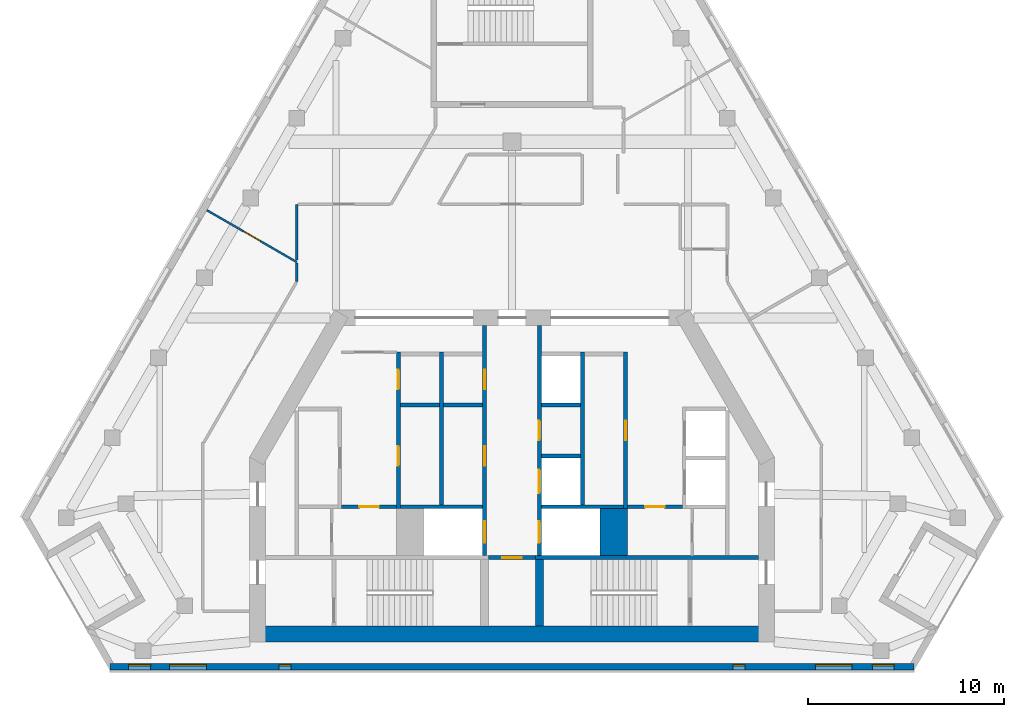
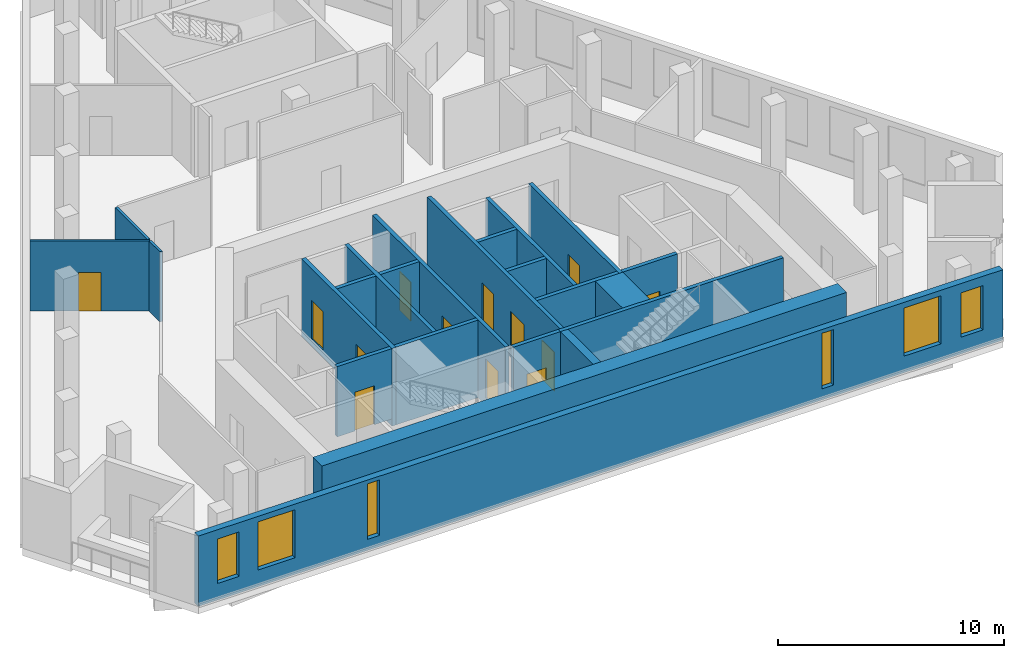
# One storey, part 3 of 8: 23 walls, 13 doors, 6 windows, 19 openings.
"""IFC4 building model written with IfcOpenShell, lengths in metres."""

from ifc_helpers import new_model, si_unit, direction, frame, frame_2d, origin, place, context, subcontext, project, spatial, rectangle, extrude, material, layer, layer_set, type_object, element, fill, save


model = new_model("IFC4")

# Units and contexts
model_context = context("Model", 3, precision=1e-05, world=origin(), true_north=direction((0.0, 1.0)))
body_context = subcontext(model_context, "Body", "Model", "MODEL_VIEW")
ifc_project = project(units=[si_unit("LENGTHUNIT", "METRE"), si_unit("AREAUNIT", "SQUARE_METRE"), si_unit("VOLUMEUNIT", "CUBIC_METRE"), si_unit("PLANEANGLEUNIT", "RADIAN"), si_unit("MASSUNIT", "GRAM", prefix="KILO")], contexts=[model_context])

# Site, building, storey
site_placement = place(None, origin())
site = spatial("IfcSite", under=ifc_project, at=site_placement, CompositionType="ELEMENT")
building_placement = place(site_placement, origin())
building = spatial("IfcBuilding", under=site, at=building_placement, Name="Fogline Exchange Tower", CompositionType="ELEMENT")
storey_placement = place(building_placement, frame((0.0, 0.0, 300.300048828125)))
storey = spatial("IfcBuildingStorey", under=building, at=storey_placement, Name="L68", CompositionType="ELEMENT", Elevation=300.300048828125)

# Walls
ifc_material_1 = material(Name="Concrete C60", Category="concrete")
ifc_layer_1 = layer(ifc_material_1, 1.39990234375)
ifc_layer_set_1 = layer_set([ifc_layer_1], Name="CW140")
wall_type_1 = type_object("IfcWallType", Name="CW140", PredefinedType="SOLIDWALL", material=ifc_layer_set_1)
wall_1_placement = place(storey_placement, frame((5.199951171875, 5.85009765625, -0.400146484375), z_axis=(0.0, 0.0, 1.0), x_axis=(0.0, 1.0, 0.0)))
element("IfcWall", 1, at=wall_1_placement, inside=storey, type_object=wall_type_1, Name="Lift shaft block wall", PredefinedType="SOLIDWALL", context=body_context, shape_type="SweptSolid", body=[
    extrude(rectangle(XDim=2.39990234375, YDim=1.39990234375, at=frame_2d((1.199951171875, 0.0))), origin(), (0.0, 0.0, 1.0), 4.2001953125),
])
ifc_material_2 = material(Name="Concrete C40", Category="concrete")
ifc_layer_2 = layer(ifc_material_2, 0.199951171875)
ifc_layer_set_2 = layer_set([ifc_layer_2], Name="CW20")
wall_type_2 = type_object("IfcWallType", Name="CW20", PredefinedType="SOLIDWALL", material=ifc_layer_set_2)
for number, where, z_axis, x_axis, name in (
    (2, (-5.699951171875, 13.550048828125, 0.0), (0.0, 0.0, 1.0), (1.0, 0.0, 0.0), "Service room wall"),
    (3, (-3.5, 13.550048828125, 0.0), (0.0, 0.0, 1.0), (1.0, 0.0, 0.0), "Service room wall"),
):
    element("IfcWall", number, at=place(storey_placement, frame(where, z_axis=z_axis, x_axis=x_axis)), inside=storey, type_object=wall_type_2, Name=name, PredefinedType="SOLIDWALL", context=body_context, shape_type="SweptSolid", body=[
        extrude(rectangle(XDim=2.0, YDim=0.199951171875, at=frame_2d((1.0, 0.0))), origin(), (0.0, 0.0, 1.0), 3.800048828125),
    ])

# Wall, opening, door
wall_2_placement = place(storey_placement, frame((-8.699951171875, 8.35009765625, 0.0), z_axis=(0.0, 0.0, 1.0), x_axis=(1.0, 0.0, 0.0)))
wall_2 = element("IfcWall", 4, at=wall_2_placement, inside=storey, type_object=wall_type_2, Name="WC wall", PredefinedType="SOLIDWALL", context=body_context, shape_type="SweptSolid", body=[
    extrude(rectangle(XDim=2.800048828125, YDim=0.199951171875, at=frame_2d((1.39990234375, 0.0))), origin(), (0.0, 0.0, 1.0), 3.800048828125),
])
opening_1_placement = place(wall_2_placement, frame((0.89990234375, 0.0, 0.0)))
opening_1 = element("IfcOpeningElement", 5, at=opening_1_placement, cuts=wall_2, Name="Opening T21-C010", PredefinedType="OPENING", context=body_context, shape_type="SweptSolid", body=[
    extrude(rectangle(XDim=1.0, YDim=2.10009765625, at=frame_2d((0.5, 1.050048828125))), frame((0.0, 0.10986328125, 0.0), z_axis=(0.0, -1.0, 0.0), x_axis=(1.0, 0.0, 0.0)), (0.0, 0.0, 1.0), 0.219970703125),
])
ifc_material_3 = material(Name="Steel and timber fire door", Category="steel")
door_type_1 = type_object("IfcDoorType", Name="D-WC1", OperationType="SINGLE_SWING_LEFT", PredefinedType="DOOR", material=ifc_material_3)
door_1_placement = place(opening_1_placement, frame((1.0, 0.0, 0.0), z_axis=(0.0, 0.0, 1.0), x_axis=(-1.0, 0.0, 0.0)))
door_1 = element("IfcDoor", 6, at=door_1_placement, inside=storey, type_object=door_type_1, Name="Door to Men's WC", OperationType="SINGLE_SWING_LEFT", OverallHeight=2.10009765625, OverallWidth=1.0, PredefinedType="DOOR", context=body_context, shape_type="SweptSolid", body=[
    extrude(rectangle(XDim=1.0, YDim=2.10009765625, at=frame_2d((0.5, 1.050048828125))), frame((0.0, 0.02490234375, 0.0), z_axis=(0.0, -1.0, 0.0), x_axis=(1.0, 0.0, 0.0)), (0.0, 0.0, 1.0), 0.050048828125),
])
fill(opening_1, door_1)

wall_3_placement = place(storey_placement, frame((5.89990234375, 8.35009765625, 0.0), z_axis=(0.0, 0.0, 1.0), x_axis=(1.0, 0.0, 0.0)))
wall_3 = element("IfcWall", 7, at=wall_3_placement, inside=storey, type_object=wall_type_2, Name="WC wall", PredefinedType="SOLIDWALL", context=body_context, shape_type="SweptSolid", body=[
    extrude(rectangle(XDim=2.800048828125, YDim=0.199951171875, at=frame_2d((1.39990234375, 0.0))), origin(), (0.0, 0.0, 1.0), 3.800048828125),
])
opening_2_placement = place(wall_3_placement, frame((0.89990234375, 0.0, 0.0)))
opening_2 = element("IfcOpeningElement", 8, at=opening_2_placement, cuts=wall_3, Name="Opening T21-C015", PredefinedType="OPENING", context=body_context, shape_type="SweptSolid", body=[
    extrude(rectangle(XDim=1.0, YDim=2.10009765625, at=frame_2d((0.5, 1.050048828125))), frame((0.0, 0.10986328125, 0.0), z_axis=(0.0, -1.0, 0.0), x_axis=(1.0, 0.0, 0.0)), (0.0, 0.0, 1.0), 0.219970703125),
])
door_2_placement = place(opening_2_placement, frame((1.0, 0.0, 0.0), z_axis=(0.0, 0.0, 1.0), x_axis=(-1.0, 0.0, 0.0)))
door_2 = element("IfcDoor", 9, at=door_2_placement, inside=storey, type_object=door_type_1, Name="Door to Women's WC", OperationType="SINGLE_SWING_LEFT", OverallHeight=2.10009765625, OverallWidth=1.0, PredefinedType="DOOR", context=body_context, shape_type="SweptSolid", body=[
    extrude(rectangle(XDim=1.0, YDim=2.10009765625, at=frame_2d((0.5, 1.050048828125))), frame((0.0, 0.02490234375, 0.0), z_axis=(0.0, -1.0, 0.0), x_axis=(1.0, 0.0, 0.0)), (0.0, 0.0, 1.0), 0.050048828125),
])
fill(opening_2, door_2)

ifc_layer_3 = layer(ifc_material_2, 0.199951171875)
ifc_layer_set_3 = layer_set([ifc_layer_3], Name="CW20R")
wall_type_3 = type_object("IfcWallType", Name="CW20R", PredefinedType="SOLIDWALL", material=ifc_layer_set_3)
wall_4_placement = place(storey_placement, frame((-1.199951171875, 5.75, -0.400146484375), z_axis=(0.0, 0.0, 1.0), x_axis=(1.0, 0.0, 0.0)))
wall_4 = element("IfcWall", 10, at=wall_4_placement, inside=storey, type_object=wall_type_3, Name="Stair enclosure wall", PredefinedType="SOLIDWALL", context=body_context, shape_type="SweptSolid", body=[
    extrude(rectangle(XDim=2.39990234375, YDim=0.199951171875, at=frame_2d((1.199951171875, 0.0))), origin(), (0.0, 0.0, 1.0), 4.2001953125),
])
opening_3_placement = place(wall_4_placement, frame((0.699951171875, 0.0, 0.39990234375)))
opening_3 = element("IfcOpeningElement", 11, at=opening_3_placement, cuts=wall_4, Name="Opening T21-C008", PredefinedType="OPENING", context=body_context, shape_type="SweptSolid", body=[
    extrude(rectangle(XDim=1.0, YDim=2.10009765625, at=frame_2d((0.5, 1.050048828125))), frame((0.0, 0.10986328125, 0.0), z_axis=(0.0, -1.0, 0.0), x_axis=(1.0, 0.0, 0.0)), (0.0, 0.0, 1.0), 0.219970703125),
])
door_type_2 = type_object("IfcDoorType", Name="D-RM1", OperationType="SINGLE_SWING_LEFT", PredefinedType="DOOR", material=ifc_material_3)
door_3_placement = place(opening_3_placement, frame((1.0, 0.0, 0.0), z_axis=(0.0, 0.0, 1.0), x_axis=(-1.0, 0.0, 0.0)))
door_3 = element("IfcDoor", 12, at=door_3_placement, inside=storey, type_object=door_type_2, Name="Door to Stationery Store", OperationType="SINGLE_SWING_RIGHT", OverallHeight=2.10009765625, OverallWidth=1.0, PredefinedType="DOOR", context=body_context, shape_type="SweptSolid", body=[
    extrude(rectangle(XDim=1.0, YDim=2.10009765625, at=frame_2d((0.5, 1.050048828125))), frame((0.0, 0.02490234375, 0.0), z_axis=(0.0, -1.0, 0.0), x_axis=(1.0, 0.0, 0.0)), (0.0, 0.0, 1.0), 0.050048828125),
])
fill(opening_3, door_3)

# Wall
wall_5_placement = place(storey_placement, frame((1.199951171875, 5.75, -0.400146484375), z_axis=(0.0, 0.0, 1.0), x_axis=(1.0, 0.0, 0.0)))
element("IfcWall", 13, at=wall_5_placement, inside=storey, type_object=wall_type_3, Name="Stair enclosure wall", PredefinedType="SOLIDWALL", context=body_context, shape_type="SweptSolid", body=[
    extrude(rectangle(XDim=11.400146484375, YDim=0.199951171875, at=frame_2d((5.7001953125, 0.0))), origin(), (0.0, 0.0, 1.0), 4.2001953125),
])

# Wall, openings, doors
ifc_layer_4 = layer(ifc_material_2, 0.199951171875)
ifc_layer_set_4 = layer_set([ifc_layer_4], Name="CW20S")
wall_type_4 = type_object("IfcWallType", Name="CW20S", PredefinedType="SOLIDWALL", material=ifc_layer_set_4)
wall_6_placement = place(storey_placement, frame((-5.800048828125, 8.25, -0.400146484375), z_axis=(0.0, 0.0, 1.0), x_axis=(0.0, 1.0, 0.0)))
wall_6 = element("IfcWall", 14, at=wall_6_placement, inside=storey, type_object=wall_type_4, Name="Lift shaft wall", PredefinedType="SOLIDWALL", context=body_context, shape_type="SweptSolid", body=[
    extrude(rectangle(XDim=8.0, YDim=0.199951171875, at=frame_2d((4.0, 0.0))), origin(), (0.0, 0.0, 1.0), 4.2001953125),
])
opening_4_placement = place(wall_6_placement, frame((2.199951171875, 0.0, 0.39990234375)))
opening_4 = element("IfcOpeningElement", 15, at=opening_4_placement, cuts=wall_6, Name="Opening T21-C002", PredefinedType="OPENING", context=body_context, shape_type="SweptSolid", body=[
    extrude(rectangle(XDim=1.0, YDim=2.10009765625, at=frame_2d((0.5, 1.050048828125))), frame((0.0, 0.10986328125, 0.0), z_axis=(0.0, -1.0, 0.0), x_axis=(1.0, 0.0, 0.0)), (0.0, 0.0, 1.0), 0.219970703125),
])
opening_5_placement = place(wall_6_placement, frame((6.10009765625, 0.0, 0.39990234375)))
opening_5 = element("IfcOpeningElement", 16, at=opening_5_placement, cuts=wall_6, Name="Opening T21-C003", PredefinedType="OPENING", context=body_context, shape_type="SweptSolid", body=[
    extrude(rectangle(XDim=1.0, YDim=2.10009765625, at=frame_2d((0.5, 1.050048828125))), frame((0.0, 0.10986328125, 0.0), z_axis=(0.0, -1.0, 0.0), x_axis=(1.0, 0.0, 0.0)), (0.0, 0.0, 1.0), 0.219970703125),
])
door_4_placement = place(opening_4_placement, frame((1.0, 0.0, 0.0), z_axis=(0.0, 0.0, 1.0), x_axis=(-1.0, 0.0, 0.0)))
door_4 = element("IfcDoor", 17, at=door_4_placement, inside=storey, type_object=door_type_2, Name="Door to Equipment Room", OperationType="SINGLE_SWING_LEFT", OverallHeight=2.10009765625, OverallWidth=1.0, PredefinedType="DOOR", context=body_context, shape_type="SweptSolid", body=[
    extrude(rectangle(XDim=1.0, YDim=2.10009765625, at=frame_2d((0.5, 1.050048828125))), frame((0.0, 0.02490234375, 0.0), z_axis=(0.0, -1.0, 0.0), x_axis=(1.0, 0.0, 0.0)), (0.0, 0.0, 1.0), 0.050048828125),
])
fill(opening_4, door_4)
door_5_placement = place(opening_5_placement, frame((1.0, 0.0, 0.0), z_axis=(0.0, 0.0, 1.0), x_axis=(-1.0, 0.0, 0.0)))
door_5 = element("IfcDoor", 18, at=door_5_placement, inside=storey, type_object=door_type_2, Name="Door to Server Room", OperationType="SINGLE_SWING_RIGHT", OverallHeight=2.10009765625, OverallWidth=1.0, PredefinedType="DOOR", context=body_context, shape_type="SweptSolid", body=[
    extrude(rectangle(XDim=1.0, YDim=2.10009765625, at=frame_2d((0.5, 1.050048828125))), frame((0.0, 0.02490234375, 0.0), z_axis=(0.0, -1.0, 0.0), x_axis=(1.0, 0.0, 0.0)), (0.0, 0.0, 1.0), 0.050048828125),
])
fill(opening_5, door_5)

# Wall, opening, door
wall_7_placement = place(storey_placement, frame((5.800048828125, 8.25, -0.400146484375), z_axis=(0.0, 0.0, 1.0), x_axis=(0.0, 1.0, 0.0)))
wall_7 = element("IfcWall", 19, at=wall_7_placement, inside=storey, type_object=wall_type_4, Name="Lift shaft wall", PredefinedType="SOLIDWALL", context=body_context, shape_type="SweptSolid", body=[
    extrude(rectangle(XDim=8.0, YDim=0.199951171875, at=frame_2d((4.0, 0.0))), origin(), (0.0, 0.0, 1.0), 4.2001953125),
])
opening_6_placement = place(wall_7_placement, frame((3.5, 0.0, 0.39990234375)))
opening_6 = element("IfcOpeningElement", 20, at=opening_6_placement, cuts=wall_7, Name="Opening T21-C006", PredefinedType="OPENING", context=body_context, shape_type="SweptSolid", body=[
    extrude(rectangle(XDim=1.0, YDim=2.10009765625, at=frame_2d((0.5, 1.050048828125))), frame((0.0, 0.10986328125, 0.0), z_axis=(0.0, -1.0, 0.0), x_axis=(1.0, 0.0, 0.0)), (0.0, 0.0, 1.0), 0.219970703125),
])
door_6_placement = place(opening_6_placement, origin())
door_6 = element("IfcDoor", 21, at=door_6_placement, inside=storey, type_object=door_type_2, Name="Door to Trading Desk Annexe", OperationType="SINGLE_SWING_LEFT", OverallHeight=2.10009765625, OverallWidth=1.0, PredefinedType="DOOR", context=body_context, shape_type="SweptSolid", body=[
    extrude(rectangle(XDim=1.0, YDim=2.10009765625, at=frame_2d((0.5, 1.050048828125))), frame((0.0, 0.02490234375, 0.0), z_axis=(0.0, -1.0, 0.0), x_axis=(1.0, 0.0, 0.0)), (0.0, 0.0, 1.0), 0.050048828125),
])
fill(opening_6, door_6)

# Walls
for number, where, z_axis, x_axis, name in (
    (22, (-3.60009765625, 8.449951171875, -0.400146484375), (0.0, 0.0, 1.0), (0.0, 1.0, 0.0), "Lift shaft wall"),
    (23, (3.60009765625, 8.449951171875, -0.400146484375), (0.0, 0.0, 1.0), (0.0, 1.0, 0.0), "Lift shaft wall"),
):
    element("IfcWall", number, at=place(storey_placement, frame(where, z_axis=z_axis, x_axis=x_axis)), inside=storey, type_object=wall_type_4, Name=name, PredefinedType="SOLIDWALL", context=body_context, shape_type="SweptSolid", body=[
        extrude(rectangle(XDim=7.800048828125, YDim=0.199951171875, at=frame_2d((3.89990234375, 0.0))), origin(), (0.0, 0.0, 1.0), 4.2001953125),
    ])

# Wall, openings, doors
wall_8_placement = place(storey_placement, frame((-1.39990234375, 5.85009765625, -0.400146484375), z_axis=(0.0, 0.0, 1.0), x_axis=(0.0, 1.0, 0.0)))
wall_8 = element("IfcWall", 24, at=wall_8_placement, inside=storey, type_object=wall_type_4, Name="Lift lobby wall", PredefinedType="SOLIDWALL", context=body_context, shape_type="SweptSolid", body=[
    extrude(rectangle(XDim=11.75, YDim=0.199951171875, at=frame_2d((5.875, 0.0))), origin(), (0.0, 0.0, 1.0), 4.2001953125),
])
opening_7_placement = place(wall_8_placement, frame((0.64990234375, 0.0, 0.39990234375)))
opening_7 = element("IfcOpeningElement", 25, at=opening_7_placement, cuts=wall_8, Name="Opening T21-LD01", PredefinedType="OPENING", context=body_context, shape_type="SweptSolid", body=[
    extrude(rectangle(XDim=1.10009765625, YDim=2.10009765625, at=frame_2d((0.550048828125, 1.050048828125))), frame((0.0, 0.10986328125, 0.0), z_axis=(0.0, -1.0, 0.0), x_axis=(1.0, 0.0, 0.0)), (0.0, 0.0, 1.0), 0.219970703125),
])
opening_8_placement = place(wall_8_placement, frame((4.60009765625, 0.0, 0.39990234375)))
opening_8 = element("IfcOpeningElement", 26, at=opening_8_placement, cuts=wall_8, Name="Opening T21-C004", PredefinedType="OPENING", context=body_context, shape_type="SweptSolid", body=[
    extrude(rectangle(XDim=1.0, YDim=2.10009765625, at=frame_2d((0.5, 1.050048828125))), frame((0.0, 0.10986328125, 0.0), z_axis=(0.0, -1.0, 0.0), x_axis=(1.0, 0.0, 0.0)), (0.0, 0.0, 1.0), 0.219970703125),
])
opening_9_placement = place(wall_8_placement, frame((8.5, 0.0, 0.39990234375)))
opening_9 = element("IfcOpeningElement", 27, at=opening_9_placement, cuts=wall_8, Name="Opening T21-C005", PredefinedType="OPENING", context=body_context, shape_type="SweptSolid", body=[
    extrude(rectangle(XDim=1.0, YDim=2.10009765625, at=frame_2d((0.5, 1.050048828125))), frame((0.0, 0.10986328125, 0.0), z_axis=(0.0, -1.0, 0.0), x_axis=(1.0, 0.0, 0.0)), (0.0, 0.0, 1.0), 0.219970703125),
])
door_7_placement = place(opening_8_placement, origin())
door_7 = element("IfcDoor", 28, at=door_7_placement, inside=storey, type_object=door_type_2, Name="Door to Library Store", OperationType="SINGLE_SWING_LEFT", OverallHeight=2.10009765625, OverallWidth=1.0, PredefinedType="DOOR", context=body_context, shape_type="SweptSolid", body=[
    extrude(rectangle(XDim=1.0, YDim=2.10009765625, at=frame_2d((0.5, 1.050048828125))), frame((0.0, 0.02490234375, 0.0), z_axis=(0.0, -1.0, 0.0), x_axis=(1.0, 0.0, 0.0)), (0.0, 0.0, 1.0), 0.050048828125),
])
fill(opening_8, door_7)
door_8_placement = place(opening_9_placement, origin())
door_8 = element("IfcDoor", 29, at=door_8_placement, inside=storey, type_object=door_type_2, Name="Door to Library Store", OperationType="SINGLE_SWING_LEFT", OverallHeight=2.10009765625, OverallWidth=1.0, PredefinedType="DOOR", context=body_context, shape_type="SweptSolid", body=[
    extrude(rectangle(XDim=1.0, YDim=2.10009765625, at=frame_2d((0.5, 1.050048828125))), frame((0.0, 0.02490234375, 0.0), z_axis=(0.0, -1.0, 0.0), x_axis=(1.0, 0.0, 0.0)), (0.0, 0.0, 1.0), 0.050048828125),
])
fill(opening_9, door_8)
door_type_3 = type_object("IfcDoorType", Name="LD2", OperationType="SLIDING_TO_RIGHT", PredefinedType="DOOR", material=ifc_material_3)
door_9_placement = place(opening_7_placement, origin())
door_9 = element("IfcDoor", 30, at=door_9_placement, inside=storey, type_object=door_type_3, Name="Landing door FF1", OperationType="SLIDING_TO_RIGHT", OverallHeight=2.10009765625, OverallWidth=1.10009765625, PredefinedType="DOOR", context=body_context, shape_type="SweptSolid", body=[
    extrude(rectangle(XDim=1.10009765625, YDim=2.10009765625, at=frame_2d((0.550048828125, 1.050048828125))), frame((0.0, 0.02490234375, 0.0), z_axis=(0.0, -1.0, 0.0), x_axis=(1.0, 0.0, 0.0)), (0.0, 0.0, 1.0), 0.050048828125),
])
fill(opening_7, door_9)

wall_9_placement = place(storey_placement, frame((1.39990234375, 5.85009765625, -0.400146484375), z_axis=(0.0, 0.0, 1.0), x_axis=(0.0, 1.0, 0.0)))
wall_9 = element("IfcWall", 31, at=wall_9_placement, inside=storey, type_object=wall_type_4, Name="Lift lobby wall", PredefinedType="SOLIDWALL", context=body_context, shape_type="SweptSolid", body=[
    extrude(rectangle(XDim=11.75, YDim=0.199951171875, at=frame_2d((5.875, 0.0))), origin(), (0.0, 0.0, 1.0), 4.2001953125),
])
opening_10_placement = place(wall_9_placement, frame((3.199951171875, 0.0, 0.39990234375)))
opening_10 = element("IfcOpeningElement", 32, at=opening_10_placement, cuts=wall_9, Name="Opening T21-LD04", PredefinedType="OPENING", context=body_context, shape_type="SweptSolid", body=[
    extrude(rectangle(XDim=1.199951171875, YDim=2.10009765625, at=frame_2d((0.60009765625, 1.050048828125))), frame((0.0, 0.10986328125, 0.0), z_axis=(0.0, -1.0, 0.0), x_axis=(1.0, 0.0, 0.0)), (0.0, 0.0, 1.0), 0.219970703125),
])
opening_11_placement = place(wall_9_placement, frame((0.64990234375, 0.0, 0.39990234375)))
opening_11 = element("IfcOpeningElement", 33, at=opening_11_placement, cuts=wall_9, Name="Opening T21-LD05", PredefinedType="OPENING", context=body_context, shape_type="SweptSolid", body=[
    extrude(rectangle(XDim=1.10009765625, YDim=2.10009765625, at=frame_2d((0.550048828125, 1.050048828125))), frame((0.0, 0.10986328125, 0.0), z_axis=(0.0, -1.0, 0.0), x_axis=(1.0, 0.0, 0.0)), (0.0, 0.0, 1.0), 0.219970703125),
])
opening_12_placement = place(wall_9_placement, frame((5.89990234375, 0.0, 0.39990234375)))
opening_12 = element("IfcOpeningElement", 34, at=opening_12_placement, cuts=wall_9, Name="Opening T21-C007", PredefinedType="OPENING", context=body_context, shape_type="SweptSolid", body=[
    extrude(rectangle(XDim=1.0, YDim=2.10009765625, at=frame_2d((0.5, 1.050048828125))), frame((0.0, 0.10986328125, 0.0), z_axis=(0.0, -1.0, 0.0), x_axis=(1.0, 0.0, 0.0)), (0.0, 0.0, 1.0), 0.219970703125),
])
door_10_placement = place(opening_12_placement, frame((1.0, 0.0, 0.0), z_axis=(0.0, 0.0, 1.0), x_axis=(-1.0, 0.0, 0.0)))
door_10 = element("IfcDoor", 35, at=door_10_placement, inside=storey, type_object=door_type_2, Name="Door to Cable Store", OperationType="SINGLE_SWING_RIGHT", OverallHeight=2.10009765625, OverallWidth=1.0, PredefinedType="DOOR", context=body_context, shape_type="SweptSolid", body=[
    extrude(rectangle(XDim=1.0, YDim=2.10009765625, at=frame_2d((0.5, 1.050048828125))), frame((0.0, 0.02490234375, 0.0), z_axis=(0.0, -1.0, 0.0), x_axis=(1.0, 0.0, 0.0)), (0.0, 0.0, 1.0), 0.050048828125),
])
fill(opening_12, door_10)
door_type_4 = type_object("IfcDoorType", Name="LD1", OperationType="SLIDING_TO_LEFT", PredefinedType="DOOR", material=ifc_material_3)
door_11_placement = place(opening_10_placement, origin())
door_11 = element("IfcDoor", 36, at=door_11_placement, inside=storey, type_object=door_type_4, Name="Landing door HR3", OperationType="SLIDING_TO_LEFT", OverallHeight=2.10009765625, OverallWidth=1.199951171875, PredefinedType="DOOR", context=body_context, shape_type="SweptSolid", body=[
    extrude(rectangle(XDim=1.199951171875, YDim=2.10009765625, at=frame_2d((0.60009765625, 1.050048828125))), frame((0.0, 0.02490234375, 0.0), z_axis=(0.0, -1.0, 0.0), x_axis=(1.0, 0.0, 0.0)), (0.0, 0.0, 1.0), 0.050048828125),
])
fill(opening_10, door_11)
door_12_placement = place(opening_11_placement, origin())
door_12 = element("IfcDoor", 37, at=door_12_placement, inside=storey, type_object=door_type_3, Name="Landing door FF2", OperationType="SLIDING_TO_RIGHT", OverallHeight=2.10009765625, OverallWidth=1.10009765625, PredefinedType="DOOR", context=body_context, shape_type="SweptSolid", body=[
    extrude(rectangle(XDim=1.10009765625, YDim=2.10009765625, at=frame_2d((0.550048828125, 1.050048828125))), frame((0.0, 0.02490234375, 0.0), z_axis=(0.0, -1.0, 0.0), x_axis=(1.0, 0.0, 0.0)), (0.0, 0.0, 1.0), 0.050048828125),
])
fill(opening_11, door_12)

# Walls
for number, where, z_axis, x_axis, name in (
    (38, (-5.699951171875, 8.35009765625, -0.400146484375), (0.0, 0.0, 1.0), (1.0, 0.0, 0.0), "Lift shaft wall"),
    (39, (1.5, 8.35009765625, -0.400146484375), (0.0, 0.0, 1.0), (1.0, 0.0, 0.0), "Lift shaft wall"),
):
    element("IfcWall", number, at=place(storey_placement, frame(where, z_axis=z_axis, x_axis=x_axis)), inside=storey, type_object=wall_type_4, Name=name, PredefinedType="SOLIDWALL", context=body_context, shape_type="SweptSolid", body=[
        extrude(rectangle(XDim=4.199951171875, YDim=0.199951171875, at=frame_2d((2.10009765625, 0.0))), origin(), (0.0, 0.0, 1.0), 4.2001953125),
    ])
for number, where, z_axis, x_axis, name in (
    (40, (1.5, 10.949951171875, -0.400146484375), (0.0, 0.0, 1.0), (1.0, 0.0, 0.0), "Lift shaft wall"),
    (41, (1.5, 13.550048828125, -0.400146484375), (0.0, 0.0, 1.0), (1.0, 0.0, 0.0), "Lift shaft wall"),
):
    element("IfcWall", number, at=place(storey_placement, frame(where, z_axis=z_axis, x_axis=x_axis)), inside=storey, type_object=wall_type_4, Name=name, PredefinedType="SOLIDWALL", context=body_context, shape_type="SweptSolid", body=[
        extrude(rectangle(XDim=2.0, YDim=0.199951171875, at=frame_2d((1.0, 0.0))), origin(), (0.0, 0.0, 1.0), 4.2001953125),
    ])
ifc_layer_5 = layer(ifc_material_2, 0.39990234375)
ifc_layer_set_5 = layer_set([ifc_layer_5], Name="CW40R")
wall_type_5 = type_object("IfcWallType", Name="CW40R", PredefinedType="SOLIDWALL", material=ifc_layer_set_5)
wall_10_placement = place(storey_placement, frame((1.39990234375, 2.25, -0.400146484375), z_axis=(0.0, 0.0, 1.0), x_axis=(0.0, 1.0, 0.0)))
element("IfcWall", 42, at=wall_10_placement, inside=storey, type_object=wall_type_5, Name="Stair and lift shaft wall", PredefinedType="SOLIDWALL", context=body_context, shape_type="SweptSolid", body=[
    extrude(rectangle(XDim=3.39990234375, YDim=0.39990234375, at=frame_2d((1.699951171875, 0.0))), origin(), (0.0, 0.0, 1.0), 4.2001953125),
])

# Wall, openings, windows
ifc_material_4 = material(Name="Brick masonry", Category="masonry")
ifc_layer_6 = layer(ifc_material_4, 0.340087890625)
ifc_layer_set_6 = layer_set([ifc_layer_6], Name="FW1")
wall_type_6 = type_object("IfcWallType", Name="FW1", PredefinedType="SOLIDWALL", material=ifc_layer_set_6)
wall_11_placement = place(storey_placement, frame((-20.55224609375, 0.169921875, 0.0), z_axis=(0.0, 0.0, 1.0), x_axis=(1.0, 0.0, 0.0)))
wall_11 = element("IfcWall", 43, at=wall_11_placement, inside=storey, type_object=wall_type_6, Name="Brick wall L68 S", PredefinedType="SOLIDWALL", context=body_context, shape_type="SweptSolid", body=[
    extrude(rectangle(XDim=41.1044921875, YDim=0.340087890625, at=frame_2d((20.55224609375, 0.0))), origin(), (0.0, 0.0, 1.0), 3.800048828125),
])
opening_13_placement = place(wall_11_placement, frame((3.05224609375, 0.0, 0.89990234375)))
opening_13 = element("IfcOpeningElement", 44, at=opening_13_placement, cuts=wall_11, Name="Opening W3", PredefinedType="OPENING", context=body_context, shape_type="SweptSolid", body=[
    extrude(rectangle(XDim=1.885009765625, YDim=2.60009765625, at=frame_2d((0.9423828125, 1.300048828125))), frame((0.0, 0.18017578125, 0.0), z_axis=(0.0, -1.0, 0.0), x_axis=(1.0, 0.0, 0.0)), (0.0, 0.0, 1.0), 0.360107421875),
])
opening_14_placement = place(wall_11_placement, frame((36.05224609375, 0.0, 0.89990234375)))
opening_14 = element("IfcOpeningElement", 45, at=opening_14_placement, cuts=wall_11, Name="Opening W3", PredefinedType="OPENING", context=body_context, shape_type="SweptSolid", body=[
    extrude(rectangle(XDim=1.885009765625, YDim=2.60009765625, at=frame_2d((0.9423828125, 1.300048828125))), frame((0.0, 0.18017578125, 0.0), z_axis=(0.0, -1.0, 0.0), x_axis=(1.0, 0.0, 0.0)), (0.0, 0.0, 1.0), 0.360107421875),
])
opening_15_placement = place(wall_11_placement, frame((0.968505859375, 0.0, 0.89990234375)))
opening_15 = element("IfcOpeningElement", 46, at=opening_15_placement, cuts=wall_11, Name="Opening W4", PredefinedType="OPENING", context=body_context, shape_type="SweptSolid", body=[
    extrude(rectangle(XDim=1.114990234375, YDim=2.39990234375, at=frame_2d((0.5576171875, 1.199951171875))), frame((0.0, 0.18017578125, 0.0), z_axis=(0.0, -1.0, 0.0), x_axis=(1.0, 0.0, 0.0)), (0.0, 0.0, 1.0), 0.360107421875),
])
opening_16_placement = place(wall_11_placement, frame((38.96337890625, 0.0, 0.89990234375)))
opening_16 = element("IfcOpeningElement", 47, at=opening_16_placement, cuts=wall_11, Name="Opening W4", PredefinedType="OPENING", context=body_context, shape_type="SweptSolid", body=[
    extrude(rectangle(XDim=1.114990234375, YDim=2.39990234375, at=frame_2d((0.5576171875, 1.199951171875))), frame((0.0, 0.18017578125, 0.0), z_axis=(0.0, -1.0, 0.0), x_axis=(1.0, 0.0, 0.0)), (0.0, 0.0, 1.0), 0.360107421875),
])
opening_17_placement = place(wall_11_placement, frame((8.652099609375, 0.0, 0.60009765625)))
opening_17 = element("IfcOpeningElement", 48, at=opening_17_placement, cuts=wall_11, Name="Opening W5", PredefinedType="OPENING", context=body_context, shape_type="SweptSolid", body=[
    extrude(rectangle(XDim=0.60009765625, YDim=3.0, at=frame_2d((0.300048828125, 1.5))), frame((0.0, 0.18017578125, 0.0), z_axis=(0.0, -1.0, 0.0), x_axis=(1.0, 0.0, 0.0)), (0.0, 0.0, 1.0), 0.360107421875),
])
opening_18_placement = place(wall_11_placement, frame((31.852294921875, 0.0, 0.60009765625)))
opening_18 = element("IfcOpeningElement", 49, at=opening_18_placement, cuts=wall_11, Name="Opening W5", PredefinedType="OPENING", context=body_context, shape_type="SweptSolid", body=[
    extrude(rectangle(XDim=0.60009765625, YDim=3.0, at=frame_2d((0.300048828125, 1.5))), frame((0.0, 0.18017578125, 0.0), z_axis=(0.0, -1.0, 0.0), x_axis=(1.0, 0.0, 0.0)), (0.0, 0.0, 1.0), 0.360107421875),
])
ifc_material_5 = material(Name="Aluminium and glass", Category="aluminium")
window_type_1 = type_object("IfcWindowType", Name="W3", PartitioningType="SINGLE_PANEL", PredefinedType="WINDOW", material=ifc_material_5)
window_1_placement = place(opening_13_placement, origin())
window_1 = element("IfcWindow", 50, at=window_1_placement, inside=storey, type_object=window_type_1, Name="W3 W3", OverallHeight=2.60009765625, OverallWidth=1.885009765625, PartitioningType="SINGLE_PANEL", PredefinedType="WINDOW", context=body_context, shape_type="SweptSolid", body=[
    extrude(rectangle(XDim=1.885009765625, YDim=2.60009765625, at=frame_2d((0.9423828125, 1.300048828125))), frame((0.0, 0.110107421875, 0.0), z_axis=(0.0, -1.0, 0.0), x_axis=(1.0, 0.0, 0.0)), (0.0, 0.0, 1.0), 0.06005859375),
])
fill(opening_13, window_1)
window_2_placement = place(opening_14_placement, origin())
window_2 = element("IfcWindow", 51, at=window_2_placement, inside=storey, type_object=window_type_1, Name="W3 W3", OverallHeight=2.60009765625, OverallWidth=1.885009765625, PartitioningType="SINGLE_PANEL", PredefinedType="WINDOW", context=body_context, shape_type="SweptSolid", body=[
    extrude(rectangle(XDim=1.885009765625, YDim=2.60009765625, at=frame_2d((0.9423828125, 1.300048828125))), frame((0.0, 0.110107421875, 0.0), z_axis=(0.0, -1.0, 0.0), x_axis=(1.0, 0.0, 0.0)), (0.0, 0.0, 1.0), 0.06005859375),
])
fill(opening_14, window_2)
window_type_2 = type_object("IfcWindowType", Name="W4", PartitioningType="SINGLE_PANEL", PredefinedType="WINDOW", material=ifc_material_5)
window_3_placement = place(opening_15_placement, origin())
window_3 = element("IfcWindow", 52, at=window_3_placement, inside=storey, type_object=window_type_2, Name="W4 W4", OverallHeight=2.39990234375, OverallWidth=1.114990234375, PartitioningType="SINGLE_PANEL", PredefinedType="WINDOW", context=body_context, shape_type="SweptSolid", body=[
    extrude(rectangle(XDim=1.114990234375, YDim=2.39990234375, at=frame_2d((0.5576171875, 1.199951171875))), frame((0.0, 0.110107421875, 0.0), z_axis=(0.0, -1.0, 0.0), x_axis=(1.0, 0.0, 0.0)), (0.0, 0.0, 1.0), 0.06005859375),
])
fill(opening_15, window_3)
window_4_placement = place(opening_16_placement, origin())
window_4 = element("IfcWindow", 53, at=window_4_placement, inside=storey, type_object=window_type_2, Name="W4 W4", OverallHeight=2.39990234375, OverallWidth=1.114990234375, PartitioningType="SINGLE_PANEL", PredefinedType="WINDOW", context=body_context, shape_type="SweptSolid", body=[
    extrude(rectangle(XDim=1.114990234375, YDim=2.39990234375, at=frame_2d((0.5576171875, 1.199951171875))), frame((0.0, 0.110107421875, 0.0), z_axis=(0.0, -1.0, 0.0), x_axis=(1.0, 0.0, 0.0)), (0.0, 0.0, 1.0), 0.06005859375),
])
fill(opening_16, window_4)
window_type_3 = type_object("IfcWindowType", Name="W5", PartitioningType="SINGLE_PANEL", PredefinedType="WINDOW", material=ifc_material_5)
window_5_placement = place(opening_17_placement, origin())
window_5 = element("IfcWindow", 54, at=window_5_placement, inside=storey, type_object=window_type_3, Name="W5 W5", OverallHeight=3.0, OverallWidth=0.60009765625, PartitioningType="SINGLE_PANEL", PredefinedType="WINDOW", context=body_context, shape_type="SweptSolid", body=[
    extrude(rectangle(XDim=0.60009765625, YDim=3.0, at=frame_2d((0.300048828125, 1.5))), frame((0.0, 0.110107421875, 0.0), z_axis=(0.0, -1.0, 0.0), x_axis=(1.0, 0.0, 0.0)), (0.0, 0.0, 1.0), 0.06005859375),
])
fill(opening_17, window_5)
window_6_placement = place(opening_18_placement, origin())
window_6 = element("IfcWindow", 55, at=window_6_placement, inside=storey, type_object=window_type_3, Name="W5 W5", OverallHeight=3.0, OverallWidth=0.60009765625, PartitioningType="SINGLE_PANEL", PredefinedType="WINDOW", context=body_context, shape_type="SweptSolid", body=[
    extrude(rectangle(XDim=0.60009765625, YDim=3.0, at=frame_2d((0.300048828125, 1.5))), frame((0.0, 0.110107421875, 0.0), z_axis=(0.0, -1.0, 0.0), x_axis=(1.0, 0.0, 0.0)), (0.0, 0.0, 1.0), 0.06005859375),
])
fill(opening_18, window_6)

# Wall, opening, door
ifc_material_6 = material(Name="Plasterboard partition, 2 layers each side on steel studs", Category="steel")
ifc_layer_7 = layer(ifc_material_6, 0.10009765625)
ifc_layer_set_7 = layer_set([ifc_layer_7], Name="PW1")
wall_type_7 = type_object("IfcWallType", Name="PW1", PredefinedType="PARTITIONING", material=ifc_layer_set_7)
wall_12_placement = place(storey_placement, frame((-11.0, 20.85107421875, 0.0), z_axis=(0.0, 0.0, 1.0), x_axis=(-0.866015321998, 0.50001746176, 0.0)))
wall_12 = element("IfcWall", 56, at=wall_12_placement, inside=storey, type_object=wall_type_7, Name="wall-L68-W033", PredefinedType="PARTITIONING", context=body_context, shape_type="SweptSolid", body=[
    extrude(rectangle(XDim=5.301025390625, YDim=0.10009765625, at=frame_2d((2.650390625, 0.0))), origin(), (0.0, 0.0, 1.0), 3.800048828125),
])
opening_19_placement = place(wall_12_placement, frame((2.150634765625, 0.0, 0.0)))
opening_19 = element("IfcOpeningElement", 57, at=opening_19_placement, cuts=wall_12, Name="Opening T21-D009", PredefinedType="OPENING", context=body_context, shape_type="SweptSolid", body=[
    extrude(rectangle(XDim=1.0, YDim=2.10009765625, at=frame_2d((0.5, 1.050048828125))), frame((0.0, 0.06005859375, 0.0), z_axis=(0.0, -1.0, 0.0), x_axis=(1.0, 0.0, 0.0)), (0.0, 0.0, 1.0), 0.1201171875),
])
ifc_material_7 = material(Name="Timber door leaf with steel frame", Category="steel")
door_type_5 = type_object("IfcDoorType", Name="D1", OperationType="SINGLE_SWING_LEFT", PredefinedType="DOOR", material=ifc_material_7)
door_13_placement = place(opening_19_placement, frame((1.0, 0.0, 0.0), z_axis=(0.0, 0.0, 1.0), x_axis=(-1.0, 0.0, 0.0)))
door_13 = element("IfcDoor", 58, at=door_13_placement, inside=storey, type_object=door_type_5, Name="door-L68-D009", OperationType="SINGLE_SWING_RIGHT", OverallHeight=2.10009765625, OverallWidth=1.0, PredefinedType="DOOR", context=body_context, shape_type="SweptSolid", body=[
    extrude(rectangle(XDim=1.0, YDim=2.10009765625, at=frame_2d((0.5, 1.050048828125))), frame((0.0, 0.02490234375, 0.0), z_axis=(0.0, -1.0, 0.0), x_axis=(1.0, 0.0, 0.0)), (0.0, 0.0, 1.0), 0.050048828125),
])
fill(opening_19, door_13)

# Walls
ifc_material_8 = material(Name="Plasterboard corridor partition with mineral wool, 2 layers each side")
ifc_layer_8 = layer(ifc_material_8, 0.125)
ifc_layer_set_8 = layer_set([ifc_layer_8], Name="PW2")
wall_type_8 = type_object("IfcWallType", Name="PW2", PredefinedType="PARTITIONING", material=ifc_layer_set_8)
wall_13_placement = place(storey_placement, frame((-11.0, 20.9453125, 0.0), z_axis=(0.0, 0.0, 1.0), x_axis=(0.0, 1.0, 0.0)))
element("IfcWall", 59, at=wall_13_placement, inside=storey, type_object=wall_type_8, Name="wall-L68-W010", PredefinedType="PARTITIONING", context=body_context, shape_type="SweptSolid", body=[
    extrude(rectangle(XDim=2.854736328125, YDim=0.125, at=frame_2d((1.42724609375, 0.0))), origin(), (0.0, 0.0, 1.0), 3.800048828125),
])
wall_14_placement = place(storey_placement, frame((-11.0, 19.8486328125, 0.0), z_axis=(0.0, 0.0, 1.0), x_axis=(0.0, 1.0, 0.0)))
element("IfcWall", 60, at=wall_14_placement, inside=storey, type_object=wall_type_8, Name="wall-L68-W012", PredefinedType="PARTITIONING", context=body_context, shape_type="SweptSolid", body=[
    extrude(rectangle(XDim=0.95849609375, YDim=0.125, at=frame_2d((0.479248046875, 0.0))), origin(), (0.0, 0.0, 1.0), 3.800048828125),
])
ifc_material_9 = material(Name="Concrete C50", Category="concrete")
ifc_layer_9 = layer(ifc_material_9, 0.800048828125)
ifc_layer_set_9 = layer_set([ifc_layer_9], Name="SW04")
wall_type_9 = type_object("IfcWallType", Name="SW04", PredefinedType="SHEAR", material=ifc_layer_set_9)
wall_15_placement = place(storey_placement, frame((-13.39990234375, 1.85009765625, 0.0), z_axis=(0.0, 0.0, 1.0), x_axis=(1.0, 0.0, 0.0)))
element("IfcWall", 61, at=wall_15_placement, inside=storey, type_object=wall_type_9, Name="L68-W901", PredefinedType="SHEAR", context=body_context, shape_type="SweptSolid", body=[
    extrude(rectangle(XDim=26.7998046875, YDim=0.800048828125, at=frame_2d((13.39990234375, 0.0))), origin(), (0.0, 0.0, 1.0), 4.199951171875),
])

save(model, "model.ifc")
